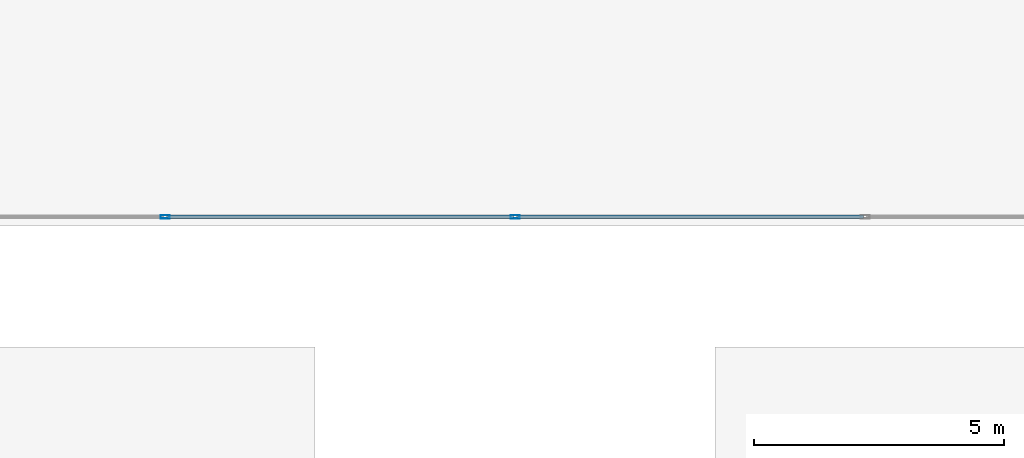
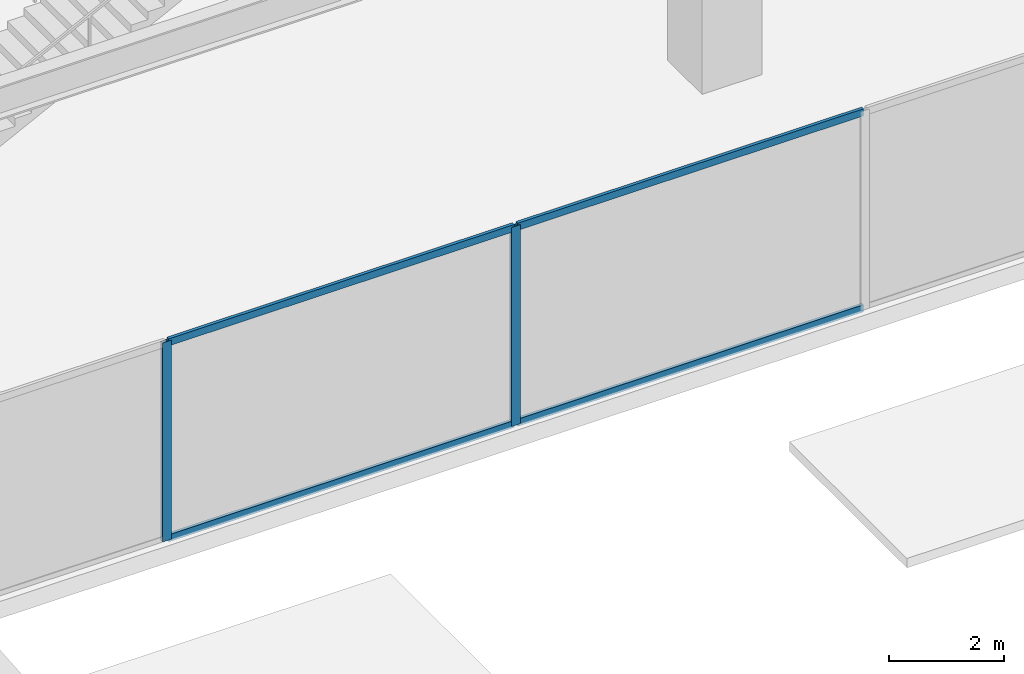
# One storey, part 4 of 18: 6 members, 1 element without a shape of its own.
"""IFC4 building model written with IfcOpenShell, lengths in metres."""

from ifc_helpers import new_model, si_unit, direction, frame, origin, origin_2d, place, context, subcontext, project, spatial, hollow_rectangle, extrude, source, transform, mapped, material, layer, layer_set, material_profile, profile_set, type_object, element, aggregate, save


model = new_model("IFC4")

# Units and contexts
model_context = context("Model", 3, precision=1e-05, world=origin(), true_north=direction((0.0, 1.0)))
body_context = subcontext(model_context, "Body", "Model", "MODEL_VIEW")
ifc_project = project(units=[si_unit("LENGTHUNIT", "METRE"), si_unit("AREAUNIT", "SQUARE_METRE"), si_unit("VOLUMEUNIT", "CUBIC_METRE"), si_unit("PLANEANGLEUNIT", "RADIAN"), si_unit("MASSUNIT", "GRAM", prefix="KILO")], contexts=[model_context])

# Site, building, storey
site_placement = place(None, origin())
site = spatial("IfcSite", under=ifc_project, at=site_placement, CompositionType="ELEMENT")
building_placement = place(site_placement, origin())
building = spatial("IfcBuilding", under=site, at=building_placement, Name="Sumidabori Civic Tower", CompositionType="ELEMENT")
storey_placement = place(building_placement, origin())
storey = spatial("IfcBuildingStorey", under=building, at=storey_placement, Name="L00", CompositionType="ELEMENT", Elevation=0.0)

# Curtain wall, members
ifc_material = material(Name="Anodised Bronze Aluminium AW-6063-T6", Category="aluminium")
ifc_layer = layer(ifc_material, 0.179931640625, Name="Anodised Bronze Aluminium AW-6063-T6")
ifc_layer_set = layer_set([ifc_layer], Name="Anodised Bronze Aluminium AW-6063-T6")
curtain_wall_type = type_object("IfcCurtainWallType", Name="CW-SYS-1", PredefinedType="NOTDEFINED", material=ifc_layer_set)
curtain_wall_placement = place(storey_placement, origin())
curtain_wall = element("IfcCurtainWall", 1, at=curtain_wall_placement, inside=storey, type_object=curtain_wall_type, Name="Curtain Wall CW:L00:SOUTH", PredefinedType="NOTDEFINED")
ifc_material_profile_1 = material_profile(ifc_material, hollow_rectangle(XDim=0.070068359375, YDim=0.179931640625, WallThickness=0.006103515625, at=origin_2d()), Name="ALU MULLION 180x70")
ifc_profile_set_1 = profile_set([ifc_material_profile_1], Name="Anodised Bronze Aluminium AW-6063-T6")
member_type_1 = type_object("IfcMemberType", Name="CW-MUL-180", PredefinedType="MULLION", material=ifc_profile_set_1)
shared_shape_1 = source(origin(), body_context, "Body", "SweptSolid", [
    extrude(hollow_rectangle(XDim=0.070068359375, YDim=0.179931640625, WallThickness=0.006103515625, at=origin_2d()), origin(), (0.0, 0.0, 1.0), 4.219970703125),
])
member_1_placement = place(storey_placement, frame((0.0, -32.820068359375, 0.0), z_axis=(0.0, 0.0, 1.0), x_axis=(0.0, -1.0, 0.0)))
member_1 = element("IfcMember", 2, at=member_1_placement, type_object=member_type_1, Name="CW-1 mullion 3", PredefinedType="MULLION", context=body_context, shape_type="MappedRepresentation", body=[
    mapped(shared_shape_1, transform((0.0, 0.0, 0.0), x_axis=(1.0, 0.0, 0.0), y_axis=(0.0, 1.0, 0.0), z_axis=(0.0, 0.0, 1.0), scale=1.0)),
])
member_2_placement = place(storey_placement, frame((-7.0, -32.820068359375, 0.0), z_axis=(0.0, 0.0, 1.0), x_axis=(0.0, -1.0, 0.0)))
member_2 = element("IfcMember", 3, at=member_2_placement, type_object=member_type_1, Name="CW-1 mullion 4", PredefinedType="MULLION", context=body_context, shape_type="MappedRepresentation", body=[
    mapped(shared_shape_1, transform((0.0, 0.0, 0.0), x_axis=(1.0, 0.0, 0.0), y_axis=(0.0, 1.0, 0.0), z_axis=(0.0, 0.0, 1.0), scale=1.0)),
])
ifc_material_profile_2 = material_profile(ifc_material, hollow_rectangle(XDim=0.06494140625, YDim=0.14990234375, WallThickness=0.0048828125, at=origin_2d()), Name="ALU TRANSOM 150x65")
ifc_profile_set_2 = profile_set([ifc_material_profile_2], Name="Anodised Bronze Aluminium AW-6063-T6")
member_type_2 = type_object("IfcMemberType", Name="CW-TRN-150", PredefinedType="USERDEFINED", material=ifc_profile_set_2)
shared_shape_2 = source(origin(), body_context, "Body", "SweptSolid", [
    extrude(hollow_rectangle(XDim=0.06494140625, YDim=0.14990234375, WallThickness=0.0048828125, at=origin_2d()), origin(), (0.0, 0.0, 1.0), 6.93017578125),
])
member_3_placement = place(storey_placement, frame((6.965087890625, -32.820068359375, 0.032470703125), z_axis=(-1.0, 0.0, 0.0), x_axis=(0.0, -1.0, 0.0)))
member_3 = element("IfcMember", 4, at=member_3_placement, type_object=member_type_2, Name="CW-1 transom 2.1", ObjectType="TRANSOM", PredefinedType="USERDEFINED", context=body_context, shape_type="MappedRepresentation", body=[
    mapped(shared_shape_2, transform((0.0, 0.0, 0.0), x_axis=(1.0, 0.0, 0.0), y_axis=(0.0, 1.0, 0.0), z_axis=(0.0, 0.0, 1.0), scale=1.0)),
])
member_4_placement = place(storey_placement, frame((6.965087890625, -32.820068359375, 4.1875), z_axis=(-1.0, 0.0, 0.0), x_axis=(0.0, -1.0, 0.0)))
member_4 = element("IfcMember", 5, at=member_4_placement, type_object=member_type_2, Name="CW-1 transom 2.2", ObjectType="TRANSOM", PredefinedType="USERDEFINED", context=body_context, shape_type="MappedRepresentation", body=[
    mapped(shared_shape_2, transform((0.0, 0.0, 0.0), x_axis=(1.0, 0.0, 0.0), y_axis=(0.0, 1.0, 0.0), z_axis=(0.0, 0.0, 1.0), scale=1.0)),
])
member_5_placement = place(storey_placement, frame((-0.034912109375, -32.820068359375, 0.032470703125), z_axis=(-1.0, 0.0, 0.0), x_axis=(0.0, -1.0, 0.0)))
member_5 = element("IfcMember", 6, at=member_5_placement, type_object=member_type_2, Name="CW-1 transom 3.1", ObjectType="TRANSOM", PredefinedType="USERDEFINED", context=body_context, shape_type="MappedRepresentation", body=[
    mapped(shared_shape_2, transform((0.0, 0.0, 0.0), x_axis=(1.0, 0.0, 0.0), y_axis=(0.0, 1.0, 0.0), z_axis=(0.0, 0.0, 1.0), scale=1.0)),
])
member_6_placement = place(storey_placement, frame((-0.034912109375, -32.820068359375, 4.1875), z_axis=(-1.0, 0.0, 0.0), x_axis=(0.0, -1.0, 0.0)))
member_6 = element("IfcMember", 7, at=member_6_placement, type_object=member_type_2, Name="CW-1 transom 3.2", ObjectType="TRANSOM", PredefinedType="USERDEFINED", context=body_context, shape_type="MappedRepresentation", body=[
    mapped(shared_shape_2, transform((0.0, 0.0, 0.0), x_axis=(1.0, 0.0, 0.0), y_axis=(0.0, 1.0, 0.0), z_axis=(0.0, 0.0, 1.0), scale=1.0)),
])
aggregate(curtain_wall, [member_1, member_2, member_3, member_4, member_5, member_6])

save(model, "model.ifc")
